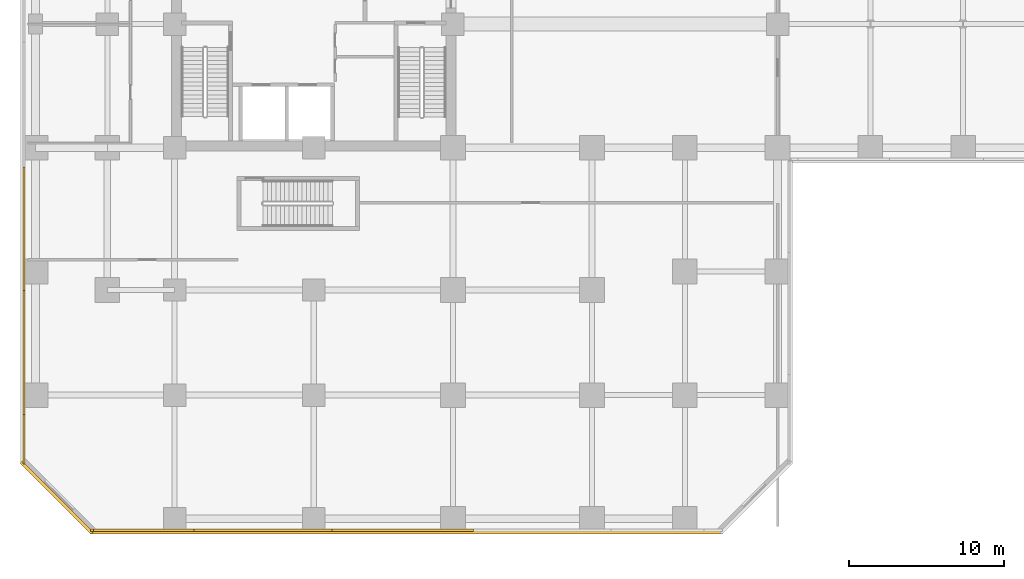
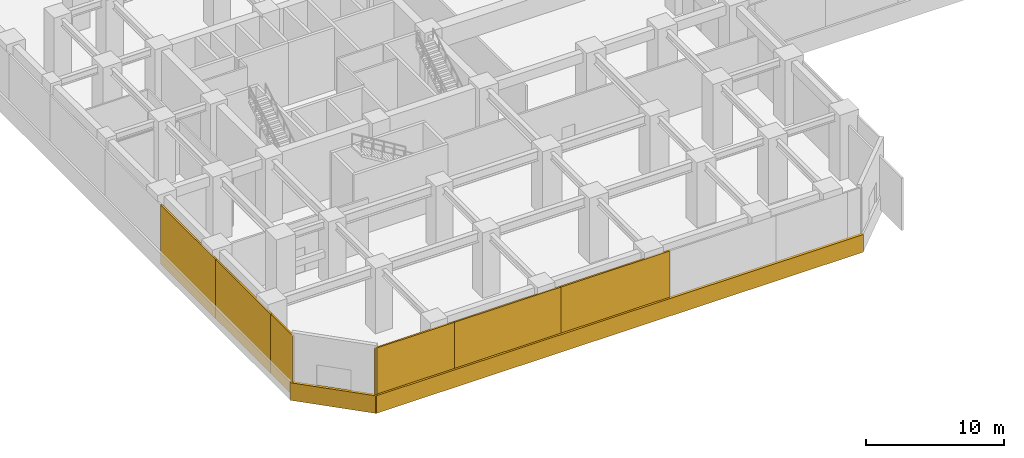
# One storey, part 6 of 12: 9 coverings.
"""IFC4 building model written with IfcOpenShell, lengths in metres."""

from ifc_helpers import new_model, si_unit, direction, frame, origin, origin_2d, place, context, subcontext, project, spatial, rectangle, extrude, source, transform, mapped, material, layer, layer_set, type_object, element, save


model = new_model("IFC4")

# Units and contexts
model_context = context("Model", 3, precision=1e-05, world=origin(), true_north=direction((0.0, 1.0)))
body_context = subcontext(model_context, "Body", "Model", "MODEL_VIEW")
ifc_project = project(units=[si_unit("LENGTHUNIT", "METRE"), si_unit("AREAUNIT", "SQUARE_METRE"), si_unit("VOLUMEUNIT", "CUBIC_METRE"), si_unit("PLANEANGLEUNIT", "RADIAN"), si_unit("MASSUNIT", "GRAM", prefix="KILO")], contexts=[model_context])

# Site, building, storey
site_placement = place(None, origin())
site = spatial("IfcSite", under=ifc_project, at=site_placement, CompositionType="ELEMENT")
building_placement = place(site_placement, origin())
building = spatial("IfcBuilding", under=site, at=building_placement, Name="Torre Montelarca", CompositionType="ELEMENT")
storey_placement = place(building_placement, frame((0.0, 0.0, 22.199951171875)))
storey = spatial("IfcBuildingStorey", under=building, at=storey_placement, Name="L05", CompositionType="ELEMENT", Elevation=22.199951171875)

# Coverings
ifc_material = material(Name="Bush-hammered warm white precast concrete C45/55", Category="concrete")
ifc_layer = layer(ifc_material, 0.139892578125, Name="Bush-hammered warm white precast concrete C45/55", Category="concrete")
ifc_layer_set = layer_set([ifc_layer], Name="Bush-hammered warm white precast concrete C45/55")
covering_type = type_object("IfcCoveringType", Name="COV-TRAY-CLAD", PredefinedType="CLADDING", material=ifc_layer_set)
shared_shape_1 = source(origin(), body_context, "Body", "SweptSolid", [
    extrude(rectangle(XDim=40.919921875, YDim=0.219970703125, at=origin_2d()), origin(), (0.0, 0.0, 1.0), 1.56005859375),
])
covering_1_placement = place(storey_placement, frame((24.0, -0.8701171875, -0.39990234375), z_axis=(0.0, 0.0, 1.0), x_axis=(1.0, 0.0, 0.0)))
element("IfcCovering", 1, at=covering_1_placement, inside=storey, type_object=covering_type, Name="L05 Architectural White Spandrel Tray Band PODBOT-01", PredefinedType="CLADDING", context=body_context, shape_type="MappedRepresentation", body=[
    mapped(shared_shape_1, transform((0.0, 0.0, 0.0), scale=1.0)),
])
shared_shape_2 = source(origin(), body_context, "Body", "SweptSolid", [
    extrude(rectangle(XDim=6.48388671875, YDim=0.219970703125, at=origin_2d()), origin(), (0.0, 0.0, 1.0), 1.56005859375),
])
covering_2_placement = place(storey_placement, frame((1.37109375, 1.37109375, -0.39990234375), z_axis=(0.0, 0.0, 1.0), x_axis=(0.707106781187, -0.707106781187, 0.0)))
element("IfcCovering", 2, at=covering_2_placement, inside=storey, type_object=covering_type, Name="L05 Architectural White Spandrel Tray Band PODBOT-11", PredefinedType="CLADDING", context=body_context, shape_type="MappedRepresentation", body=[
    mapped(shared_shape_2, transform((0.0, 0.0, 0.0), scale=1.0)),
])
shared_shape_3 = source(origin(), body_context, "Body", "SweptSolid", [
    extrude(rectangle(XDim=0.179931640625, YDim=0.139892578125, at=origin_2d()), origin(), (0.0, 0.0, 1.0), 5.25),
])
covering_3_placement = place(storey_placement, frame((3.64990234375, -0.739990234375, 0.0), z_axis=(0.0, 0.0, 1.0), x_axis=(1.0, 0.0, 0.0)))
element("IfcCovering", 3, at=covering_3_placement, inside=storey, type_object=covering_type, Name="L05 Architectural Column Pier Cladding E01-1", PredefinedType="CLADDING", context=body_context, shape_type="MappedRepresentation", body=[
    mapped(shared_shape_3, transform((0.0, 0.0, 0.0), scale=1.0)),
])
shared_shape_4 = source(origin(), body_context, "Body", "SweptSolid", [
    extrude(rectangle(XDim=6.5849609375, YDim=0.139892578125, at=origin_2d()), origin(), (0.0, 0.0, 1.0), 5.25),
])
covering_4_placement = place(storey_placement, frame((6.952392578125, -0.739990234375, 0.0), z_axis=(0.0, 0.0, 1.0), x_axis=(1.0, 0.0, 0.0)))
element("IfcCovering", 4, at=covering_4_placement, inside=storey, type_object=covering_type, Name="L05 Architectural Column Pier Cladding E01-2", PredefinedType="CLADDING", context=body_context, shape_type="MappedRepresentation", body=[
    mapped(shared_shape_4, transform((0.0, 0.0, 0.0), scale=1.0)),
])
shared_shape_5 = source(origin(), body_context, "Body", "SweptSolid", [
    extrude(rectangle(XDim=9.080078125, YDim=0.139892578125, at=origin_2d()), origin(), (0.0, 0.0, 1.0), 5.25),
])
covering_5_placement = place(storey_placement, frame((14.705078125, -0.739990234375, 0.0), z_axis=(0.0, 0.0, 1.0), x_axis=(1.0, 0.0, 0.0)))
element("IfcCovering", 5, at=covering_5_placement, inside=storey, type_object=covering_type, Name="L05 Architectural Column Pier Cladding E01-3", PredefinedType="CLADDING", context=body_context, shape_type="MappedRepresentation", body=[
    mapped(shared_shape_5, transform((0.0, 0.0, 0.0), scale=1.0)),
])
shared_shape_6 = source(origin(), body_context, "Body", "SweptSolid", [
    extrude(rectangle(XDim=9.155029296875, YDim=0.139892578125, at=origin_2d()), origin(), (0.0, 0.0, 1.0), 5.25),
])
covering_6_placement = place(storey_placement, frame((23.742431640625, -0.739990234375, 0.0), z_axis=(0.0, 0.0, 1.0), x_axis=(1.0, 0.0, 0.0)))
element("IfcCovering", 6, at=covering_6_placement, inside=storey, type_object=covering_type, Name="L05 Architectural Column Pier Cladding E01-4", PredefinedType="CLADDING", context=body_context, shape_type="MappedRepresentation", body=[
    mapped(shared_shape_6, transform((0.0, 0.0, 0.0), scale=1.0)),
])
shared_shape_7 = source(origin(), body_context, "Body", "SweptSolid", [
    extrude(rectangle(XDim=8.080078125, YDim=0.139892578125, at=origin_2d()), origin(), (0.0, 0.0, 1.0), 5.25),
])
for number, where, z_axis, x_axis, name in (
    (7, (-0.739990234375, 18.719970703125, 0.0), (0.0, 0.0, 1.0), (0.0, -1.0, 0.0), "L05 Architectural Column Pier Cladding E10-6"),
    (8, (-0.739990234375, 10.719970703125, 0.0), (0.0, 0.0, 1.0), (0.0, -1.0, 0.0), "L05 Architectural Column Pier Cladding E10-7"),
):
    element("IfcCovering", number, at=place(storey_placement, frame(where, z_axis=z_axis, x_axis=x_axis)), inside=storey, type_object=covering_type, Name=name, PredefinedType="CLADDING", context=body_context, shape_type="MappedRepresentation", body=[
        mapped(shared_shape_7, transform((0.0, 0.0, 0.0), scale=1.0)),
    ])
shared_shape_8 = source(origin(), body_context, "Body", "SweptSolid", [
    extrude(rectangle(XDim=3.199951171875, YDim=0.139892578125, at=origin_2d()), origin(), (0.0, 0.0, 1.0), 5.25),
])
covering_7_placement = place(storey_placement, frame((-0.739990234375, 5.159912109375, 0.0), z_axis=(0.0, 0.0, 1.0), x_axis=(0.0, -1.0, 0.0)))
element("IfcCovering", 9, at=covering_7_placement, inside=storey, type_object=covering_type, Name="L05 Architectural Column Pier Cladding E10-8", PredefinedType="CLADDING", context=body_context, shape_type="MappedRepresentation", body=[
    mapped(shared_shape_8, transform((0.0, 0.0, 0.0), scale=1.0)),
])

save(model, "model.ifc")
